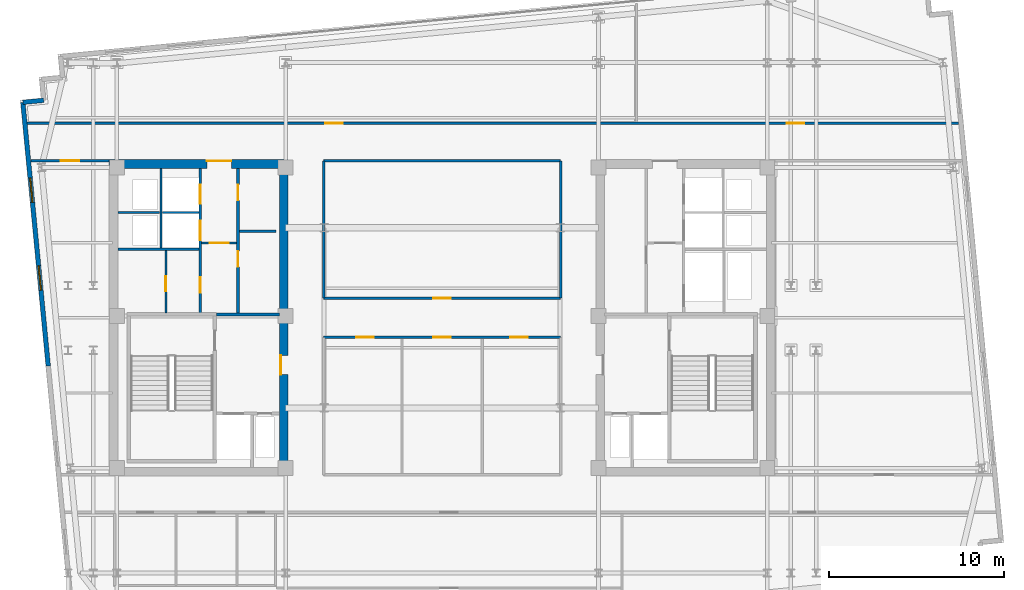
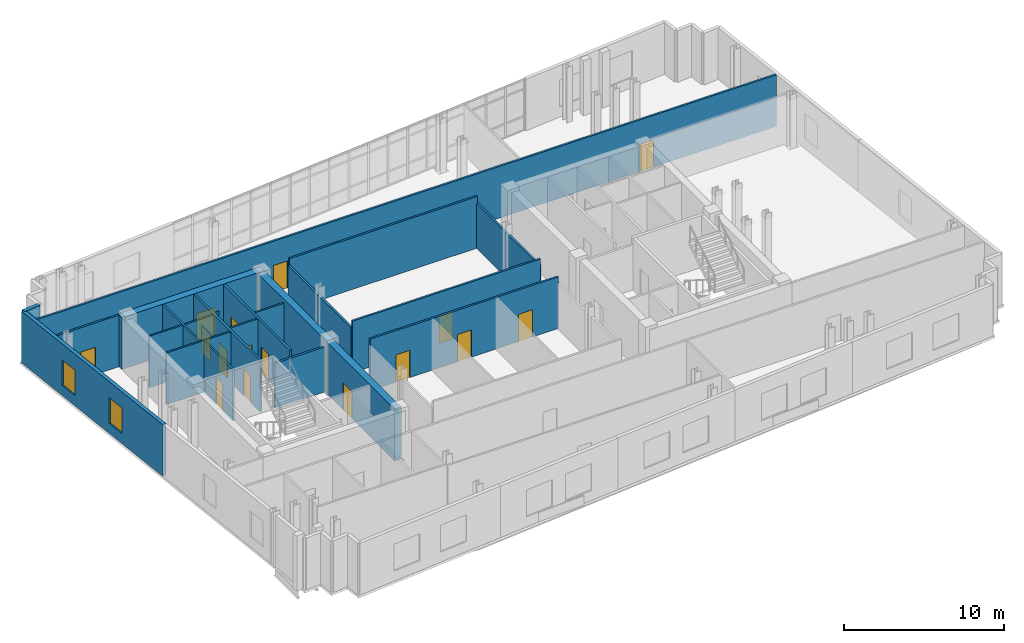
# One storey, part 7 of 11: 21 walls, 16 doors, 2 windows, 18 openings.
"""IFC4 building model written with IfcOpenShell, lengths in metres."""

from ifc_helpers import new_model, si_unit, direction, frame, frame_2d, origin, place, context, subcontext, project, spatial, rectangle, extrude, material, layer, layer_set, type_object, element, fill, save


model = new_model("IFC4")

# Units and contexts
model_context = context("Model", 3, precision=1e-05, world=origin(), true_north=direction((0.0, 1.0)))
body_context = subcontext(model_context, "Body", "Model", "MODEL_VIEW")
ifc_project = project(units=[si_unit("LENGTHUNIT", "METRE"), si_unit("AREAUNIT", "SQUARE_METRE"), si_unit("VOLUMEUNIT", "CUBIC_METRE"), si_unit("PLANEANGLEUNIT", "RADIAN"), si_unit("MASSUNIT", "GRAM", prefix="KILO")], contexts=[model_context])

# Site, building, storey
site_placement = place(None, origin())
site = spatial("IfcSite", under=ifc_project, at=site_placement, CompositionType="ELEMENT")
building_placement = place(site_placement, origin())
building = spatial("IfcBuilding", under=site, at=building_placement, Name="Velakula Bourse", CompositionType="ELEMENT")
storey_placement = place(building_placement, frame((0.0, 0.0, 282.75)))
storey = spatial("IfcBuildingStorey", under=building, at=storey_placement, Name="L77", CompositionType="ELEMENT", Elevation=282.75)

# Wall, opening, door
ifc_material_1 = material(Name="Concrete M50 (fck 50 MPa)", Category="concrete")
ifc_layer_1 = layer(ifc_material_1, 0.5, Name="Concrete M50 (fck 50 MPa)", Category="concrete")
ifc_layer_set_1 = layer_set([ifc_layer_1], Name="Concrete M50 (fck 50 MPa)")
wall_type_1 = type_object("IfcWallType", Name="WL-CORE-500", PredefinedType="SHEAR", material=ifc_layer_set_1)
wall_1_placement = place(storey_placement, frame((-19.050048828125, 8.800048828125, 0.0), z_axis=(0.0, 0.0, 1.0), x_axis=(1.0, 0.0, 0.0)))
wall_1 = element("IfcWall", 1, at=wall_1_placement, inside=storey, type_object=wall_type_1, Name="L77 Core W Shear Wall N", PredefinedType="SHEAR", context=body_context, shape_type="SweptSolid", body=[
    extrude(rectangle(XDim=10.25, YDim=0.5, at=frame_2d((5.125, 0.0))), origin(), (0.0, 0.0, 1.0), 3.949951171875),
])
opening_1_placement = place(wall_1_placement, frame((5.60009765625, 0.0, 0.0)))
opening_1 = element("IfcOpeningElement", 2, at=opening_1_placement, cuts=wall_1, Name="Opening D-LLW", PredefinedType="OPENING", context=body_context, shape_type="SweptSolid", body=[
    extrude(rectangle(XDim=1.39990234375, YDim=2.050048828125, at=frame_2d((0.699951171875, 1.02490234375))), frame((0.0, 0.260009765625, 0.0), z_axis=(0.0, -1.0, 0.0), x_axis=(1.0, 0.0, 0.0)), (0.0, 0.0, 1.0), 0.52001953125),
])
ifc_material_2 = material(Name="Fire-rated hardwood flush architectural door", Category="wood")
door_type_1 = type_object("IfcDoorType", Name="DR-DBL-FD60-1400", OperationType="DOUBLE_DOOR_SINGLE_SWING", PredefinedType="DOOR", material=ifc_material_2)
door_1_placement = place(opening_1_placement, origin())
door_1 = element("IfcDoor", 3, at=door_1_placement, inside=storey, type_object=door_type_1, Name="L77 Core W Lift Lobby Corridor Double Door", OperationType="DOUBLE_DOOR_SINGLE_SWING", OverallHeight=2.050048828125, OverallWidth=1.39990234375, PredefinedType="DOOR", context=body_context, shape_type="SweptSolid", body=[
    extrude(rectangle(XDim=1.39990234375, YDim=2.050048828125, at=frame_2d((0.699951171875, 1.02490234375))), frame((0.0, 0.19482421875, 0.0), z_axis=(0.0, -1.0, 0.0), x_axis=(1.0, 0.0, 0.0)), (0.0, 0.0, 1.0), 0.050048828125),
])
fill(opening_1, door_1)

wall_2_placement = place(storey_placement, frame((-9.050048828125, -8.550048828125, 0.0), z_axis=(0.0, 0.0, 1.0), x_axis=(0.0, 1.0, 0.0)))
wall_2 = element("IfcWall", 4, at=wall_2_placement, inside=storey, type_object=wall_type_1, Name="L77 Core W Shear Wall E", PredefinedType="SHEAR", context=body_context, shape_type="SweptSolid", body=[
    extrude(rectangle(XDim=17.10009765625, YDim=0.5, at=frame_2d((8.550048828125, 0.0))), origin(), (0.0, 0.0, 1.0), 3.949951171875),
])
opening_2_placement = place(wall_2_placement, frame((5.300048828125, 0.0, 0.0)))
opening_2 = element("IfcOpeningElement", 5, at=opening_2_placement, cuts=wall_2, Name="Opening D-FLW", PredefinedType="OPENING", context=body_context, shape_type="SweptSolid", body=[
    extrude(rectangle(XDim=1.10009765625, YDim=2.080078125, at=frame_2d((0.550048828125, 1.0400390625))), frame((0.0, 0.260009765625, 0.0), z_axis=(0.0, -1.0, 0.0), x_axis=(1.0, 0.0, 0.0)), (0.0, 0.0, 1.0), 0.52001953125),
])
ifc_material_3 = material(Name="Galvanised painted hollow steel fire door", Category="steel")
door_type_2 = type_object("IfcDoorType", Name="DR-FD120-1100", OperationType="NOTDEFINED", PredefinedType="DOOR", material=ifc_material_3)
door_2_placement = place(opening_2_placement, origin())
door_2 = element("IfcDoor", 6, at=door_2_placement, inside=storey, type_object=door_type_2, Name="L77 Firefighting Lobby W Corridor Fire Door", OperationType="SINGLE_SWING_LEFT", OverallHeight=2.080078125, OverallWidth=1.10009765625, PredefinedType="DOOR", context=body_context, shape_type="SweptSolid", body=[
    extrude(rectangle(XDim=1.10009765625, YDim=2.080078125, at=frame_2d((0.550048828125, 1.0400390625))), frame((0.0, 0.205078125, 0.0), z_axis=(0.0, -1.0, 0.0), x_axis=(1.0, 0.0, 0.0)), (0.0, 0.0, 1.0), 0.050048828125),
])
fill(opening_2, door_2)

# Wall, openings, windows
ifc_material_4 = material(Name="Buff kilned clay facing brick masonry", Category="masonry")
ifc_layer_2 = layer(ifc_material_4, 0.260009765625, Name="Buff kilned clay facing brick masonry", Category="masonry")
ifc_layer_set_2 = layer_set([ifc_layer_2], Name="Buff kilned clay facing brick masonry")
wall_type_2 = type_object("IfcWallType", Name="WL-EXT-BRK-260", PredefinedType="STANDARD", material=ifc_layer_set_2)
wall_3_placement = place(storey_placement, frame((-22.52734375, -2.75439453125, 0.0), z_axis=(0.0, 0.0, 1.0), x_axis=(-0.095850890337, 0.995395703638, 0.0)))
wall_3 = element("IfcWall", 7, at=wall_3_placement, inside=storey, type_object=wall_type_2, Name="L77 W Brick End Wall W2", PredefinedType="STANDARD", context=body_context, shape_type="SweptSolid", body=[
    extrude(rectangle(XDim=15.150146484375, YDim=0.260009765625, at=frame_2d((7.5751953125, 0.0))), origin(), (0.0, 0.0, 1.0), 3.929931640625),
])
opening_3_placement = place(wall_3_placement, frame((4.35009765625, 0.0, 0.760009765625)))
opening_3 = element("IfcOpeningElement", 8, at=opening_3_placement, cuts=wall_3, Name="Opening W-03", PredefinedType="OPENING", context=body_context, shape_type="SweptSolid", body=[
    extrude(rectangle(XDim=1.39990234375, YDim=1.949951171875, at=frame_2d((0.699951171875, 0.97509765625))), frame((0.0, 0.139892578125, 0.0), z_axis=(0.0, -1.0, 0.0), x_axis=(1.0, 0.0, 0.0)), (0.0, 0.0, 1.0), 0.280029296875),
])
opening_4_placement = place(wall_3_placement, frame((9.39990234375, 0.0, 0.760009765625)))
opening_4 = element("IfcOpeningElement", 9, at=opening_4_placement, cuts=wall_3, Name="Opening W-03", PredefinedType="OPENING", context=body_context, shape_type="SweptSolid", body=[
    extrude(rectangle(XDim=1.39990234375, YDim=1.949951171875, at=frame_2d((0.699951171875, 0.97509765625))), frame((0.0, 0.139892578125, 0.0), z_axis=(0.0, -1.0, 0.0), x_axis=(1.0, 0.0, 0.0)), (0.0, 0.0, 1.0), 0.280029296875),
])
ifc_material_5 = material(Name="Double-glazed solar-control Low-E glass", Category="glass")
window_type = type_object("IfcWindowType", Name="WIN-TWR-1400x2100", PartitioningType="SINGLE_PANEL", PredefinedType="WINDOW", material=ifc_material_5)
window_1_placement = place(opening_3_placement, origin())
window_1 = element("IfcWindow", 10, at=window_1_placement, inside=storey, type_object=window_type, Name="L77 Deep-Set Recessed Window 1", OverallHeight=1.949951171875, OverallWidth=1.39990234375, PartitioningType="SINGLE_PANEL", PredefinedType="WINDOW", context=body_context, shape_type="SweptSolid", body=[
    extrude(rectangle(XDim=1.39990234375, YDim=1.949951171875, at=frame_2d((0.699951171875, 0.97509765625))), frame((0.0, 0.030029296875, 0.0), z_axis=(0.0, -1.0, 0.0), x_axis=(1.0, 0.0, 0.0)), (0.0, 0.0, 1.0), 0.06005859375),
])
fill(opening_3, window_1)
window_2_placement = place(opening_4_placement, origin())
window_2 = element("IfcWindow", 11, at=window_2_placement, inside=storey, type_object=window_type, Name="L77 Deep-Set Recessed Window 2", OverallHeight=1.949951171875, OverallWidth=1.39990234375, PartitioningType="SINGLE_PANEL", PredefinedType="WINDOW", context=body_context, shape_type="SweptSolid", body=[
    extrude(rectangle(XDim=1.39990234375, YDim=1.949951171875, at=frame_2d((0.699951171875, 0.97509765625))), frame((0.0, 0.030029296875, 0.0), z_axis=(0.0, -1.0, 0.0), x_axis=(1.0, 0.0, 0.0)), (0.0, 0.0, 1.0), 0.06005859375),
])
fill(opening_4, window_2)

# Wall
wall_4_placement = place(storey_placement, frame((-22.784912109375, 12.44091796875, 0.0), z_axis=(0.0, 0.0, 1.0), x_axis=(-0.995398960025, -0.095817067274, 0.0)))
element("IfcWall", 12, at=wall_4_placement, inside=storey, type_object=wall_type_2, Name="L77 Serrated Corner Brick Wall NW-4", PredefinedType="STANDARD", context=body_context, shape_type="SweptSolid", body=[
    extrude(rectangle(XDim=1.2001953125, YDim=0.260009765625, at=frame_2d((0.60009765625, 0.0))), origin(), (0.0, 0.0, 1.0), 3.929931640625),
])

# Wall, opening, door
ifc_material_6 = material(Name="Fire-rated double-layer gypsum drywall partition", Category="gypsum")
ifc_layer_3 = layer(ifc_material_6, 0.1201171875, Name="Fire-rated double-layer gypsum drywall partition", Category="gypsum")
ifc_layer_set_3 = layer_set([ifc_layer_3], Name="Fire-rated double-layer gypsum drywall partition")
wall_type_3 = type_object("IfcWallType", Name="WL-PART-120", PredefinedType="STANDARD", material=ifc_layer_set_3)
wall_5_placement = place(storey_placement, frame((-13.75, 4.280029296875, 0.0), z_axis=(0.0, 0.0, 1.0), x_axis=(1.0, 0.0, 0.0)))
wall_5 = element("IfcWall", 13, at=wall_5_placement, inside=storey, type_object=wall_type_3, Name="L77 Interior Partition WL-CRW-L77-LL-K2", PredefinedType="STANDARD", context=body_context, shape_type="SweptSolid", body=[
    extrude(rectangle(XDim=2.0, YDim=0.1201171875, at=frame_2d((1.0, 0.0))), origin(), (0.0, 0.0, 1.0), 3.929931640625),
])
opening_5_placement = place(wall_5_placement, frame((0.449951171875, 0.0, 0.0)))
opening_5 = element("IfcOpeningElement", 14, at=opening_5_placement, cuts=wall_5, Name="Opening D-LK2", PredefinedType="OPENING", context=body_context, shape_type="SweptSolid", body=[
    extrude(rectangle(XDim=1.10009765625, YDim=2.10009765625, at=frame_2d((0.550048828125, 1.050048828125))), frame((0.0, 0.070068359375, 0.0), z_axis=(0.0, -1.0, 0.0), x_axis=(1.0, 0.0, 0.0)), (0.0, 0.0, 1.0), 0.14013671875),
])
door_type_3 = type_object("IfcDoorType", Name="DR-FD60-1100x2100", OperationType="NOTDEFINED", PredefinedType="DOOR", material=ifc_material_2)
door_3_placement = place(opening_5_placement, origin())
door_3 = element("IfcDoor", 15, at=door_3_placement, inside=storey, type_object=door_type_3, Name="L77 Core W Lift Lobby Zone Door", OperationType="SINGLE_SWING_LEFT", OverallHeight=2.10009765625, OverallWidth=1.10009765625, PredefinedType="DOOR", context=body_context, shape_type="SweptSolid", body=[
    extrude(rectangle(XDim=1.10009765625, YDim=2.10009765625, at=frame_2d((0.550048828125, 1.050048828125))), frame((0.0, 0.02490234375, 0.0), z_axis=(0.0, -1.0, 0.0), x_axis=(1.0, 0.0, 0.0)), (0.0, 0.0, 1.0), 0.050048828125),
])
fill(opening_5, door_3)

# Walls
wall_6_placement = place(storey_placement, frame((-11.60009765625, 4.949951171875, 0.0), z_axis=(0.0, 0.0, 1.0), x_axis=(1.0, 0.0, 0.0)))
element("IfcWall", 16, at=wall_6_placement, inside=storey, type_object=wall_type_3, Name="L77 Interior Partition WL-CRW-L77-RCDIV", PredefinedType="STANDARD", context=body_context, shape_type="SweptSolid", body=[
    extrude(rectangle(XDim=2.10009765625, YDim=0.1201171875, at=frame_2d((1.050048828125, 0.0))), origin(), (0.0, 0.0, 1.0), 3.929931640625),
])
wall_7_placement = place(storey_placement, frame((-18.550048828125, 3.919921875, 0.0), z_axis=(0.0, 0.0, 1.0), x_axis=(1.0, 0.0, 0.0)))
element("IfcWall", 17, at=wall_7_placement, inside=storey, type_object=wall_type_3, Name="L77 Interior Partition WL-CRW-L77-HI-S", PredefinedType="STANDARD", context=body_context, shape_type="SweptSolid", body=[
    extrude(rectangle(XDim=4.650146484375, YDim=0.1201171875, at=frame_2d((2.3251953125, 0.0))), origin(), (0.0, 0.0, 1.0), 3.929931640625),
])
wall_8_placement = place(storey_placement, frame((-18.550048828125, 6.030029296875, 0.0), z_axis=(0.0, 0.0, 1.0), x_axis=(1.0, 0.0, 0.0)))
element("IfcWall", 18, at=wall_8_placement, inside=storey, type_object=wall_type_3, Name="L77 Interior Partition WL-CRW-L77-RIS-MID", PredefinedType="STANDARD", context=body_context, shape_type="SweptSolid", body=[
    extrude(rectangle(XDim=2.400146484375, YDim=0.1201171875, at=frame_2d((1.2001953125, 0.0))), origin(), (0.0, 0.0, 1.0), 3.929931640625),
])
wall_9_placement = place(storey_placement, frame((-16.074951171875, 3.97998046875, 0.0), z_axis=(0.0, 0.0, 1.0), x_axis=(0.0, 1.0, 0.0)))
element("IfcWall", 19, at=wall_9_placement, inside=storey, type_object=wall_type_3, Name="L77 Interior Partition WL-CRW-L77-RIS-F", PredefinedType="STANDARD", context=body_context, shape_type="SweptSolid", body=[
    extrude(rectangle(XDim=4.570068359375, YDim=0.1201171875, at=frame_2d((2.28515625, 0.0))), origin(), (0.0, 0.0, 1.0), 3.929931640625),
])
wall_10_placement = place(storey_placement, frame((-16.0, 6.030029296875, 0.0), z_axis=(0.0, 0.0, 1.0), x_axis=(1.0, 0.0, 0.0)))
element("IfcWall", 20, at=wall_10_placement, inside=storey, type_object=wall_type_3, Name="L77 Interior Partition WL-CRW-L77-HI-DIV", PredefinedType="STANDARD", context=body_context, shape_type="SweptSolid", body=[
    extrude(rectangle(XDim=2.10009765625, YDim=0.1201171875, at=frame_2d((1.050048828125, 0.0))), origin(), (0.0, 0.0, 1.0), 3.929931640625),
])

# Wall, opening, door
wall_11_placement = place(storey_placement, frame((-15.800048828125, 0.27001953125, 0.0), z_axis=(0.0, 0.0, 1.0), x_axis=(0.0, 1.0, 0.0)))
wall_11 = element("IfcWall", 21, at=wall_11_placement, inside=storey, type_object=wall_type_3, Name="L77 Interior Partition WL-CRW-L77-K2", PredefinedType="STANDARD", context=body_context, shape_type="SweptSolid", body=[
    extrude(rectangle(XDim=3.590087890625, YDim=0.1201171875, at=frame_2d((1.794921875, 0.0))), origin(), (0.0, 0.0, 1.0), 3.929931640625),
])
opening_6_placement = place(wall_11_placement, frame((1.25, 0.0, 0.0)))
opening_6 = element("IfcOpeningElement", 22, at=opening_6_placement, cuts=wall_11, Name="Opening D-CE1", PredefinedType="OPENING", context=body_context, shape_type="SweptSolid", body=[
    extrude(rectangle(XDim=0.85009765625, YDim=2.050048828125, at=frame_2d((0.425048828125, 1.02490234375))), frame((0.0, 0.070068359375, 0.0), z_axis=(0.0, -1.0, 0.0), x_axis=(1.0, 0.0, 0.0)), (0.0, 0.0, 1.0), 0.14013671875),
])
door_type_4 = type_object("IfcDoorType", Name="DR-INT-850", OperationType="NOTDEFINED", PredefinedType="DOOR", material=ifc_material_2)
door_4_placement = place(opening_6_placement, origin())
door_4 = element("IfcDoor", 23, at=door_4_placement, inside=storey, type_object=door_type_4, Name="L77 Core Equipment Store Door", OperationType="SINGLE_SWING_RIGHT", OverallHeight=2.050048828125, OverallWidth=0.85009765625, PredefinedType="DOOR", context=body_context, shape_type="SweptSolid", body=[
    extrude(rectangle(XDim=0.85009765625, YDim=2.050048828125, at=frame_2d((0.425048828125, 1.02490234375))), frame((0.0, 0.02490234375, 0.0), z_axis=(0.0, -1.0, 0.0), x_axis=(1.0, 0.0, 0.0)), (0.0, 0.0, 1.0), 0.050048828125),
])
fill(opening_6, door_4)

# Wall, openings, doors
ifc_layer_4 = layer(ifc_material_6, 0.139892578125, Name="Fire-rated double-layer gypsum drywall partition", Category="gypsum")
ifc_layer_set_4 = layer_set([ifc_layer_4], Name="Fire-rated double-layer gypsum drywall partition")
wall_type_4 = type_object("IfcWallType", Name="WL-PART-140", PredefinedType="STANDARD", material=ifc_layer_set_4)
wall_12_placement = place(storey_placement, frame((-23.732666015625, 11.1201171875, 0.0), z_axis=(0.0, 0.0, 1.0), x_axis=(1.0, 0.0, 0.0)))
wall_12 = element("IfcWall", 24, at=wall_12_placement, inside=storey, type_object=wall_type_4, Name="L77 Interior Partition WL-INT-L77-N-CORR", PredefinedType="STANDARD", context=body_context, shape_type="SweptSolid", body=[
    extrude(rectangle(XDim=53.285400390625, YDim=0.139892578125, at=frame_2d((26.642578125, 0.0))), origin(), (0.0, 0.0, 1.0), 3.929931640625),
])
opening_7_placement = place(wall_12_placement, frame((17.04833984375, 0.0, 0.0)))
opening_7 = element("IfcOpeningElement", 25, at=opening_7_placement, cuts=wall_12, Name="Opening D-OF1", PredefinedType="OPENING", context=body_context, shape_type="SweptSolid", body=[
    extrude(rectangle(XDim=1.0, YDim=2.080078125, at=frame_2d((0.5, 1.0400390625))), frame((0.0, 0.079833984375, 0.0), z_axis=(0.0, -1.0, 0.0), x_axis=(1.0, 0.0, 0.0)), (0.0, 0.0, 1.0), 0.159912109375),
])
opening_8_placement = place(wall_12_placement, frame((43.43896484375, 0.0, 0.0)))
opening_8 = element("IfcOpeningElement", 26, at=opening_8_placement, cuts=wall_12, Name="Opening D-OF1", PredefinedType="OPENING", context=body_context, shape_type="SweptSolid", body=[
    extrude(rectangle(XDim=1.0, YDim=2.080078125, at=frame_2d((0.5, 1.0400390625))), frame((0.0, 0.079833984375, 0.0), z_axis=(0.0, -1.0, 0.0), x_axis=(1.0, 0.0, 0.0)), (0.0, 0.0, 1.0), 0.159912109375),
])
door_type_5 = type_object("IfcDoorType", Name="DR-OFF-1000", OperationType="NOTDEFINED", PredefinedType="DOOR", material=ifc_material_2)
door_5_placement = place(opening_7_placement, origin())
door_5 = element("IfcDoor", 27, at=door_5_placement, inside=storey, type_object=door_type_5, Name="L77 Public Exchange Observation Deck Door", OperationType="SINGLE_SWING_LEFT", OverallHeight=2.080078125, OverallWidth=1.0, PredefinedType="DOOR", context=body_context, shape_type="SweptSolid", body=[
    extrude(rectangle(XDim=1.0, YDim=2.080078125, at=frame_2d((0.5, 1.0400390625))), frame((0.0, 0.02490234375, 0.0), z_axis=(0.0, -1.0, 0.0), x_axis=(1.0, 0.0, 0.0)), (0.0, 0.0, 1.0), 0.050048828125),
])
fill(opening_7, door_5)
door_6_placement = place(opening_8_placement, origin())
door_6 = element("IfcDoor", 28, at=door_6_placement, inside=storey, type_object=door_type_5, Name="L77 Summit Sky Cafe Door", OperationType="SINGLE_SWING_RIGHT", OverallHeight=2.080078125, OverallWidth=1.0, PredefinedType="DOOR", context=body_context, shape_type="SweptSolid", body=[
    extrude(rectangle(XDim=1.0, YDim=2.080078125, at=frame_2d((0.5, 1.0400390625))), frame((0.0, 0.02490234375, 0.0), z_axis=(0.0, -1.0, 0.0), x_axis=(1.0, 0.0, 0.0)), (0.0, 0.0, 1.0), 0.050048828125),
])
fill(opening_8, door_6)

# Wall, opening, door
wall_13_placement = place(storey_placement, frame((-23.526611328125, 8.97998046875, 0.0), z_axis=(0.0, 0.0, 1.0), x_axis=(1.0, 0.0, 0.0)))
wall_13 = element("IfcWall", 29, at=wall_13_placement, inside=storey, type_object=wall_type_4, Name="L77 Interior Partition WL-INT-L77-W-NC", PredefinedType="STANDARD", context=body_context, shape_type="SweptSolid", body=[
    extrude(rectangle(XDim=4.4765625, YDim=0.139892578125, at=frame_2d((2.23828125, 0.0))), origin(), (0.0, 0.0, 1.0), 3.929931640625),
])
opening_9_placement = place(wall_13_placement, frame((1.71337890625, 0.0, 0.0)))
opening_9 = element("IfcOpeningElement", 30, at=opening_9_placement, cuts=wall_13, Name="Opening D-OF2", PredefinedType="OPENING", context=body_context, shape_type="SweptSolid", body=[
    extrude(rectangle(XDim=1.050048828125, YDim=2.080078125, at=frame_2d((0.52490234375, 1.0400390625))), frame((0.0, 0.079833984375, 0.0), z_axis=(0.0, -1.0, 0.0), x_axis=(1.0, 0.0, 0.0)), (0.0, 0.0, 1.0), 0.159912109375),
])
door_type_6 = type_object("IfcDoorType", Name="DR-OFF-1050", OperationType="NOTDEFINED", PredefinedType="DOOR", material=ifc_material_2)
door_7_placement = place(opening_9_placement, origin())
door_7 = element("IfcDoor", 31, at=door_7_placement, inside=storey, type_object=door_type_6, Name="L77 Quiet Financial Library Door", OperationType="SINGLE_SWING_LEFT", OverallHeight=2.080078125, OverallWidth=1.050048828125, PredefinedType="DOOR", context=body_context, shape_type="SweptSolid", body=[
    extrude(rectangle(XDim=1.050048828125, YDim=2.080078125, at=frame_2d((0.52490234375, 1.0400390625))), frame((0.0, 0.02490234375, 0.0), z_axis=(0.0, -1.0, 0.0), x_axis=(1.0, 0.0, 0.0)), (0.0, 0.0, 1.0), 0.050048828125),
])
fill(opening_9, door_7)

wall_14_placement = place(storey_placement, frame((-6.780029296875, 1.1201171875, 0.0), z_axis=(0.0, 0.0, 1.0), x_axis=(1.0, 0.0, 0.0)))
wall_14 = element("IfcWall", 32, at=wall_14_placement, inside=storey, type_object=wall_type_4, Name="L77 Interior Partition WL-INT-L77-MN-IN", PredefinedType="STANDARD", context=body_context, shape_type="SweptSolid", body=[
    extrude(rectangle(XDim=13.56005859375, YDim=0.139892578125, at=frame_2d((6.780029296875, 0.0))), origin(), (0.0, 0.0, 1.0), 3.929931640625),
])
opening_10_placement = place(wall_14_placement, frame((6.280029296875, 0.0, 0.0)))
opening_10 = element("IfcOpeningElement", 33, at=opening_10_placement, cuts=wall_14, Name="Opening D-OF1", PredefinedType="OPENING", context=body_context, shape_type="SweptSolid", body=[
    extrude(rectangle(XDim=1.0, YDim=2.080078125, at=frame_2d((0.5, 1.0400390625))), frame((0.0, 0.079833984375, 0.0), z_axis=(0.0, -1.0, 0.0), x_axis=(1.0, 0.0, 0.0)), (0.0, 0.0, 1.0), 0.159912109375),
])
door_8_placement = place(opening_10_placement, origin())
door_8 = element("IfcDoor", 34, at=door_8_placement, inside=storey, type_object=door_type_5, Name="L77 Company Secretary Office Door", OperationType="SINGLE_SWING_LEFT", OverallHeight=2.080078125, OverallWidth=1.0, PredefinedType="DOOR", context=body_context, shape_type="SweptSolid", body=[
    extrude(rectangle(XDim=1.0, YDim=2.080078125, at=frame_2d((0.5, 1.0400390625))), frame((0.0, 0.02490234375, 0.0), z_axis=(0.0, -1.0, 0.0), x_axis=(1.0, 0.0, 0.0)), (0.0, 0.0, 1.0), 0.050048828125),
])
fill(opening_10, door_8)

# Walls
wall_15_placement = place(storey_placement, frame((-6.780029296875, 8.97998046875, 0.0), z_axis=(0.0, 0.0, 1.0), x_axis=(1.0, 0.0, 0.0)))
element("IfcWall", 35, at=wall_15_placement, inside=storey, type_object=wall_type_4, Name="L77 Interior Partition WL-INT-L77-MN-OUT", PredefinedType="STANDARD", context=body_context, shape_type="SweptSolid", body=[
    extrude(rectangle(XDim=13.56005859375, YDim=0.139892578125, at=frame_2d((6.780029296875, 0.0))), origin(), (0.0, 0.0, 1.0), 3.929931640625),
])
for number, where, z_axis, x_axis, name in (
    (36, (-6.780029296875, 1.1201171875, 0.0), (0.0, 0.0, 1.0), (0.0, 1.0, 0.0), "L77 Interior Partition WL-INT-L77-MN-W"),
    (37, (6.780029296875, 1.1201171875, 0.0), (0.0, 0.0, 1.0), (0.0, 1.0, 0.0), "L77 Interior Partition WL-INT-L77-MN-E"),
):
    element("IfcWall", number, at=place(storey_placement, frame(where, z_axis=z_axis, x_axis=x_axis)), inside=storey, type_object=wall_type_4, Name=name, PredefinedType="STANDARD", context=body_context, shape_type="SweptSolid", body=[
        extrude(rectangle(XDim=7.85986328125, YDim=0.139892578125, at=frame_2d((3.929931640625, 0.0))), origin(), (0.0, 0.0, 1.0), 3.425048828125),
    ])

# Wall, openings, doors
wall_16_placement = place(storey_placement, frame((-6.780029296875, -1.1201171875, 0.0), z_axis=(0.0, 0.0, 1.0), x_axis=(1.0, 0.0, 0.0)))
wall_16 = element("IfcWall", 38, at=wall_16_placement, inside=storey, type_object=wall_type_4, Name="L77 Interior Partition WL-INT-L77-MS-IN", PredefinedType="STANDARD", context=body_context, shape_type="SweptSolid", body=[
    extrude(rectangle(XDim=13.56005859375, YDim=0.139892578125, at=frame_2d((6.780029296875, 0.0))), origin(), (0.0, 0.0, 1.0), 3.929931640625),
])
opening_11_placement = place(wall_16_placement, frame((1.865966796875, 0.0, 0.0)))
opening_11 = element("IfcOpeningElement", 39, at=opening_11_placement, cuts=wall_16, Name="Opening D-OF1", PredefinedType="OPENING", context=body_context, shape_type="SweptSolid", body=[
    extrude(rectangle(XDim=1.0, YDim=2.080078125, at=frame_2d((0.5, 1.0400390625))), frame((0.0, 0.079833984375, 0.0), z_axis=(0.0, -1.0, 0.0), x_axis=(1.0, 0.0, 0.0)), (0.0, 0.0, 1.0), 0.159912109375),
])
opening_12_placement = place(wall_16_placement, frame((6.280029296875, 0.0, 0.0)))
opening_12 = element("IfcOpeningElement", 40, at=opening_12_placement, cuts=wall_16, Name="Opening D-OF1", PredefinedType="OPENING", context=body_context, shape_type="SweptSolid", body=[
    extrude(rectangle(XDim=1.0, YDim=2.080078125, at=frame_2d((0.5, 1.0400390625))), frame((0.0, 0.079833984375, 0.0), z_axis=(0.0, -1.0, 0.0), x_axis=(1.0, 0.0, 0.0)), (0.0, 0.0, 1.0), 0.159912109375),
])
opening_13_placement = place(wall_16_placement, frame((10.694091796875, 0.0, 0.0)))
opening_13 = element("IfcOpeningElement", 41, at=opening_13_placement, cuts=wall_16, Name="Opening D-OF1", PredefinedType="OPENING", context=body_context, shape_type="SweptSolid", body=[
    extrude(rectangle(XDim=1.0, YDim=2.080078125, at=frame_2d((0.5, 1.0400390625))), frame((0.0, 0.079833984375, 0.0), z_axis=(0.0, -1.0, 0.0), x_axis=(1.0, 0.0, 0.0)), (0.0, 0.0, 1.0), 0.159912109375),
])
door_9_placement = place(opening_11_placement, origin())
door_9 = element("IfcDoor", 42, at=door_9_placement, inside=storey, type_object=door_type_5, Name="L77 Primary Dealer Office Door", OperationType="SINGLE_SWING_RIGHT", OverallHeight=2.080078125, OverallWidth=1.0, PredefinedType="DOOR", context=body_context, shape_type="SweptSolid", body=[
    extrude(rectangle(XDim=1.0, YDim=2.080078125, at=frame_2d((0.5, 1.0400390625))), frame((0.0, 0.02490234375, 0.0), z_axis=(0.0, -1.0, 0.0), x_axis=(1.0, 0.0, 0.0)), (0.0, 0.0, 1.0), 0.050048828125),
])
fill(opening_11, door_9)
door_10_placement = place(opening_12_placement, origin())
door_10 = element("IfcDoor", 43, at=door_10_placement, inside=storey, type_object=door_type_5, Name="L77 Compliance Review Office Door", OperationType="SINGLE_SWING_LEFT", OverallHeight=2.080078125, OverallWidth=1.0, PredefinedType="DOOR", context=body_context, shape_type="SweptSolid", body=[
    extrude(rectangle(XDim=1.0, YDim=2.080078125, at=frame_2d((0.5, 1.0400390625))), frame((0.0, 0.02490234375, 0.0), z_axis=(0.0, -1.0, 0.0), x_axis=(1.0, 0.0, 0.0)), (0.0, 0.0, 1.0), 0.050048828125),
])
fill(opening_12, door_10)
door_11_placement = place(opening_13_placement, origin())
door_11 = element("IfcDoor", 44, at=door_11_placement, inside=storey, type_object=door_type_5, Name="L77 Margin Control Office Door", OperationType="SINGLE_SWING_RIGHT", OverallHeight=2.080078125, OverallWidth=1.0, PredefinedType="DOOR", context=body_context, shape_type="SweptSolid", body=[
    extrude(rectangle(XDim=1.0, YDim=2.080078125, at=frame_2d((0.5, 1.0400390625))), frame((0.0, 0.02490234375, 0.0), z_axis=(0.0, -1.0, 0.0), x_axis=(1.0, 0.0, 0.0)), (0.0, 0.0, 1.0), 0.050048828125),
])
fill(opening_13, door_11)

# Wall
ifc_material_7 = material(Name="Autoclaved aerated concrete blockwork masonry", Category="masonry")
ifc_layer_5 = layer(ifc_material_7, 0.14990234375, Name="Autoclaved aerated concrete blockwork masonry", Category="masonry")
ifc_layer_set_5 = layer_set([ifc_layer_5], Name="Autoclaved aerated concrete blockwork masonry")
wall_type_5 = type_object("IfcWallType", Name="WL-SHAFT-150", PredefinedType="STANDARD", material=ifc_layer_set_5)
wall_17_placement = place(storey_placement, frame((-12.889892578125, 0.18994140625, 0.0), z_axis=(0.0, 0.0, 1.0), x_axis=(1.0, 0.0, 0.0)))
element("IfcWall", 45, at=wall_17_placement, inside=storey, type_object=wall_type_5, Name="L77 Interior Partition WL-CRW-L77-FF-TOP", PredefinedType="STANDARD", context=body_context, shape_type="SweptSolid", body=[
    extrude(rectangle(XDim=3.58984375, YDim=0.14990234375, at=frame_2d((1.794921875, 0.0))), origin(), (0.0, 0.0, 1.0), 3.425048828125),
])

# Wall, openings, doors
wall_18_placement = place(storey_placement, frame((-11.675048828125, 0.27001953125, 0.0), z_axis=(0.0, 0.0, 1.0), x_axis=(0.0, 1.0, 0.0)))
wall_18 = element("IfcWall", 46, at=wall_18_placement, inside=storey, type_object=wall_type_5, Name="L77 Interior Partition WL-CRW-L77-BANK-F", PredefinedType="STANDARD", context=body_context, shape_type="SweptSolid", body=[
    extrude(rectangle(XDim=8.280029296875, YDim=0.14990234375, at=frame_2d((4.14013671875, 0.0))), origin(), (0.0, 0.0, 1.0), 3.929931640625),
])
opening_14_placement = place(wall_18_placement, frame((2.64990234375, 0.0, 0.0)))
opening_14 = element("IfcOpeningElement", 47, at=opening_14_placement, cuts=wall_18, Name="Opening D-RC1", PredefinedType="OPENING", context=body_context, shape_type="SweptSolid", body=[
    extrude(rectangle(XDim=0.89990234375, YDim=2.050048828125, at=frame_2d((0.449951171875, 1.02490234375))), frame((0.0, 0.0849609375, 0.0), z_axis=(0.0, -1.0, 0.0), x_axis=(1.0, 0.0, 0.0)), (0.0, 0.0, 1.0), 0.169921875),
])
opening_15_placement = place(wall_18_placement, frame((6.449951171875, 0.0, 0.0)))
opening_15 = element("IfcOpeningElement", 48, at=opening_15_placement, cuts=wall_18, Name="Opening D-RC1", PredefinedType="OPENING", context=body_context, shape_type="SweptSolid", body=[
    extrude(rectangle(XDim=0.89990234375, YDim=2.050048828125, at=frame_2d((0.449951171875, 1.02490234375))), frame((0.0, 0.0849609375, 0.0), z_axis=(0.0, -1.0, 0.0), x_axis=(1.0, 0.0, 0.0)), (0.0, 0.0, 1.0), 0.169921875),
])
door_type_7 = type_object("IfcDoorType", Name="DR-FD60-900", OperationType="NOTDEFINED", PredefinedType="DOOR", material=ifc_material_2)
door_12_placement = place(opening_14_placement, origin())
door_12 = element("IfcDoor", 49, at=door_12_placement, inside=storey, type_object=door_type_7, Name="L77 Reclaimed Archive Room Door", OperationType="SINGLE_SWING_RIGHT", OverallHeight=2.050048828125, OverallWidth=0.89990234375, PredefinedType="DOOR", context=body_context, shape_type="SweptSolid", body=[
    extrude(rectangle(XDim=0.89990234375, YDim=2.050048828125, at=frame_2d((0.449951171875, 1.02490234375))), frame((0.0, 0.02490234375, 0.0), z_axis=(0.0, -1.0, 0.0), x_axis=(1.0, 0.0, 0.0)), (0.0, 0.0, 1.0), 0.050048828125),
])
fill(opening_14, door_12)
door_13_placement = place(opening_15_placement, origin())
door_13 = element("IfcDoor", 50, at=door_13_placement, inside=storey, type_object=door_type_7, Name="L77 Reclaimed Registry Store Door", OperationType="SINGLE_SWING_LEFT", OverallHeight=2.050048828125, OverallWidth=0.89990234375, PredefinedType="DOOR", context=body_context, shape_type="SweptSolid", body=[
    extrude(rectangle(XDim=0.89990234375, YDim=2.050048828125, at=frame_2d((0.449951171875, 1.02490234375))), frame((0.0, 0.02490234375, 0.0), z_axis=(0.0, -1.0, 0.0), x_axis=(1.0, 0.0, 0.0)), (0.0, 0.0, 1.0), 0.050048828125),
])
fill(opening_15, door_13)

wall_19_placement = place(storey_placement, frame((-13.824951171875, 0.27001953125, 0.0), z_axis=(0.0, 0.0, 1.0), x_axis=(0.0, 1.0, 0.0)))
wall_19 = element("IfcWall", 51, at=wall_19_placement, inside=storey, type_object=wall_type_5, Name="L77 Interior Partition WL-CRW-L77-OUT-F", PredefinedType="STANDARD", context=body_context, shape_type="SweptSolid", body=[
    extrude(rectangle(XDim=8.280029296875, YDim=0.14990234375, at=frame_2d((4.14013671875, 0.0))), origin(), (0.0, 0.0, 1.0), 3.929931640625),
])
opening_16_placement = place(wall_19_placement, frame((4.175048828125, 0.0, 0.0)))
opening_16 = element("IfcOpeningElement", 52, at=opening_16_placement, cuts=wall_19, Name="Opening LD-P9", PredefinedType="OPENING", context=body_context, shape_type="SweptSolid", body=[
    extrude(rectangle(XDim=1.10009765625, YDim=2.10009765625, at=frame_2d((0.550048828125, 1.050048828125))), frame((0.0, 0.0849609375, 0.0), z_axis=(0.0, -1.0, 0.0), x_axis=(1.0, 0.0, 0.0)), (0.0, 0.0, 1.0), 0.169921875),
])
opening_17_placement = place(wall_19_placement, frame((6.2451171875, 0.0, 0.0)))
opening_17 = element("IfcOpeningElement", 53, at=opening_17_placement, cuts=wall_19, Name="Opening LD-P10", PredefinedType="OPENING", context=body_context, shape_type="SweptSolid", body=[
    extrude(rectangle(XDim=1.10009765625, YDim=2.10009765625, at=frame_2d((0.550048828125, 1.050048828125))), frame((0.0, 0.0849609375, 0.0), z_axis=(0.0, -1.0, 0.0), x_axis=(1.0, 0.0, 0.0)), (0.0, 0.0, 1.0), 0.169921875),
])
opening_18_placement = place(wall_19_placement, frame((1.14990234375, 0.0, 0.0)))
opening_18 = element("IfcOpeningElement", 54, at=opening_18_placement, cuts=wall_19, Name="Opening D-CP1", PredefinedType="OPENING", context=body_context, shape_type="SweptSolid", body=[
    extrude(rectangle(XDim=0.89990234375, YDim=2.050048828125, at=frame_2d((0.449951171875, 1.02490234375))), frame((0.0, 0.0849609375, 0.0), z_axis=(0.0, -1.0, 0.0), x_axis=(1.0, 0.0, 0.0)), (0.0, 0.0, 1.0), 0.169921875),
])
door_type_8 = type_object("IfcDoorType", Name="DR-INT-900", OperationType="NOTDEFINED", PredefinedType="DOOR", material=ifc_material_2)
door_14_placement = place(opening_18_placement, origin())
door_14 = element("IfcDoor", 55, at=door_14_placement, inside=storey, type_object=door_type_8, Name="L77 Core Tea Pantry Door", OperationType="SINGLE_SWING_RIGHT", OverallHeight=2.050048828125, OverallWidth=0.89990234375, PredefinedType="DOOR", context=body_context, shape_type="SweptSolid", body=[
    extrude(rectangle(XDim=0.89990234375, YDim=2.050048828125, at=frame_2d((0.449951171875, 1.02490234375))), frame((0.0, 0.02490234375, 0.0), z_axis=(0.0, -1.0, 0.0), x_axis=(1.0, 0.0, 0.0)), (0.0, 0.0, 1.0), 0.050048828125),
])
fill(opening_18, door_14)
ifc_material_8 = material(Name="Brushed grade 316 stainless steel", Category="steel")
door_type_9 = type_object("IfcDoorType", Name="DR-SLIDE-LD-1100", OperationType="DOUBLE_DOOR_SLIDING", PredefinedType="DOOR", material=ifc_material_8)
door_15_placement = place(opening_16_placement, origin())
door_15 = element("IfcDoor", 56, at=door_15_placement, inside=storey, type_object=door_type_9, Name="L77 Passenger Lift P9 Sliding Landing Door", OperationType="DOUBLE_DOOR_SLIDING", OverallHeight=2.10009765625, OverallWidth=1.10009765625, PredefinedType="DOOR", context=body_context, shape_type="SweptSolid", body=[
    extrude(rectangle(XDim=1.10009765625, YDim=2.10009765625, at=frame_2d((0.550048828125, 1.050048828125))), frame((0.0, 0.02490234375, 0.0), z_axis=(0.0, -1.0, 0.0), x_axis=(1.0, 0.0, 0.0)), (0.0, 0.0, 1.0), 0.050048828125),
])
fill(opening_16, door_15)
door_16_placement = place(opening_17_placement, origin())
door_16 = element("IfcDoor", 57, at=door_16_placement, inside=storey, type_object=door_type_9, Name="L77 Passenger Lift P10 Sliding Landing Door", OperationType="DOUBLE_DOOR_SLIDING", OverallHeight=2.10009765625, OverallWidth=1.10009765625, PredefinedType="DOOR", context=body_context, shape_type="SweptSolid", body=[
    extrude(rectangle(XDim=1.10009765625, YDim=2.10009765625, at=frame_2d((0.550048828125, 1.050048828125))), frame((0.0, 0.02490234375, 0.0), z_axis=(0.0, -1.0, 0.0), x_axis=(1.0, 0.0, 0.0)), (0.0, 0.0, 1.0), 0.050048828125),
])
fill(opening_17, door_16)

save(model, "model.ifc")
